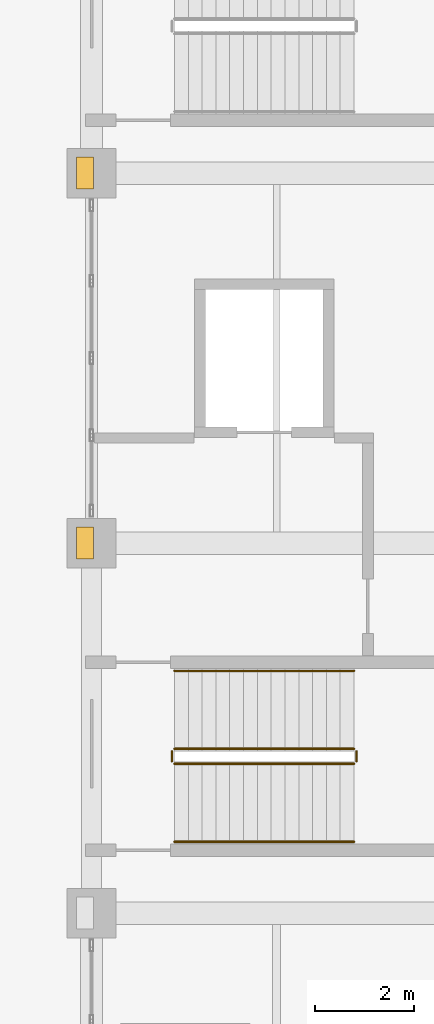
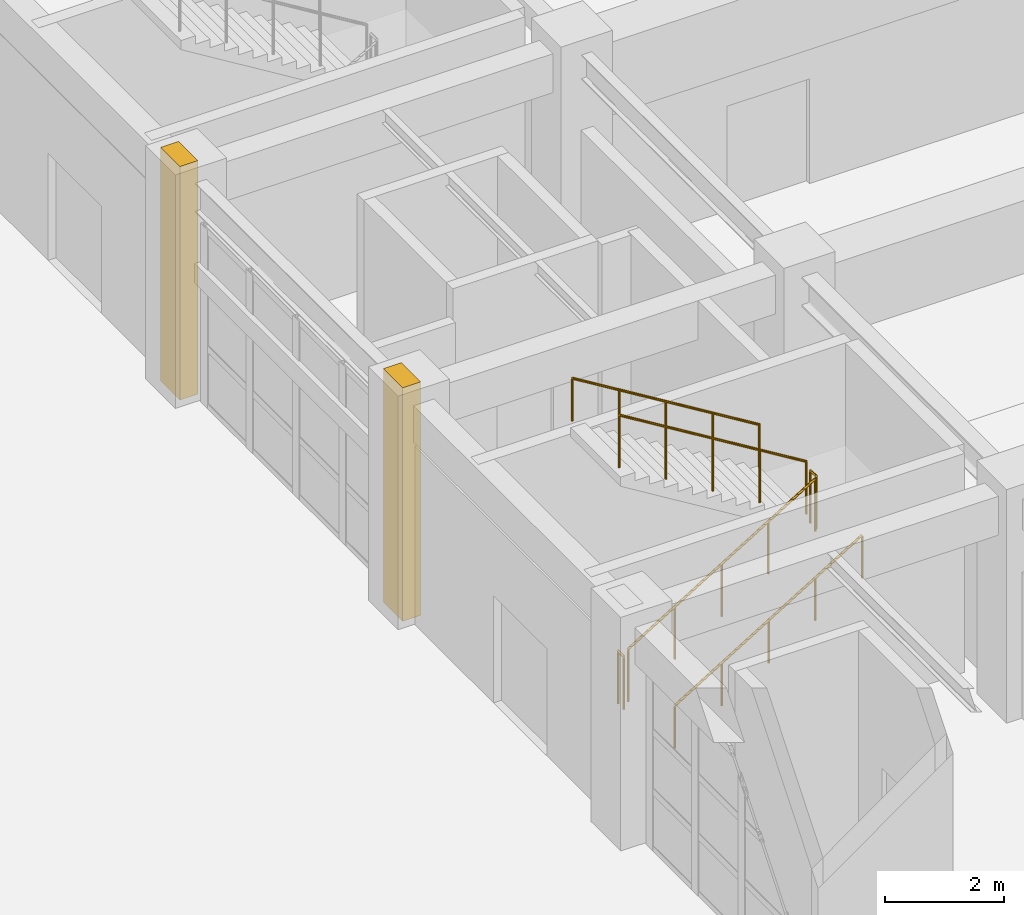
# One storey, part 109 of 122: 6 railings, 2 coverings.
"""IFC4 building model written with IfcOpenShell, lengths in metres."""

from ifc_helpers import new_model, si_unit, direction, frame, origin, origin_2d, place, context, subcontext, project, spatial, rectangle, circle, extrude, material, layer, layer_set, type_object, element, save


model = new_model("IFC4")

# Units and contexts
model_context = context("Model", 3, precision=1e-05, world=origin(), true_north=direction((0.0, 1.0)))
body_context = subcontext(model_context, "Body", "Model", "MODEL_VIEW")
ifc_project = project(units=[si_unit("LENGTHUNIT", "METRE"), si_unit("AREAUNIT", "SQUARE_METRE"), si_unit("VOLUMEUNIT", "CUBIC_METRE"), si_unit("PLANEANGLEUNIT", "RADIAN"), si_unit("MASSUNIT", "GRAM", prefix="KILO")], contexts=[model_context])

# Site, building, storey
site_placement = place(None, origin())
site = spatial("IfcSite", under=ifc_project, at=site_placement, CompositionType="ELEMENT")
building_placement = place(site_placement, origin())
building = spatial("IfcBuilding", under=site, at=building_placement, Name="Qasida Concert Hall", CompositionType="ELEMENT")
storey_placement = place(building_placement, origin())
storey = spatial("IfcBuildingStorey", under=building, at=storey_placement, Name="L00", CompositionType="ELEMENT", Elevation=0.0)

# Coverings
ifc_material_1 = material(Name="Projecting fluted Lebanese limestone Art Deco pilaster", Category="masonry")
ifc_layer_1 = layer(ifc_material_1, 0.35009765625, Name="Projecting fluted Lebanese limestone Art Deco pilaster")
ifc_layer_set_1 = layer_set([ifc_layer_1], Name="Projecting fluted Lebanese limestone Art Deco pilaster")
covering_type = type_object("IfcCoveringType", Name="CV-PIL-650", PredefinedType="CLADDING", material=ifc_layer_set_1)
for number, where, z_axis, x_axis, name in (
    (1, (52.364990234375, 52.5, 0.0), (0.0, 0.0, 1.0), (1.0, 0.0, 0.0), "L00 fluted limestone pilaster 0043"),
    (2, (52.364990234375, 60.0, 0.0), (0.0, 0.0, 1.0), (1.0, 0.0, 0.0), "L00 fluted limestone pilaster 0057"),
):
    element("IfcCovering", number, at=place(storey_placement, frame(where, z_axis=z_axis, x_axis=x_axis)), inside=storey, type_object=covering_type, Name=name, PredefinedType="CLADDING", context=body_context, shape_type="SweptSolid", body=[
        extrude(rectangle(XDim=0.35009765625, YDim=0.64990234375, at=origin_2d()), origin(), (0.0, 0.0, 1.0), 4.800048828125),
    ])

# Railings
ifc_material_2 = material(Name="Patinated architectural bronze and laminated glass infill", Category="glass")
ifc_layer_2 = layer(ifc_material_2, 0.080078125, Name="Patinated architectural bronze and laminated glass infill")
ifc_layer_set_2 = layer_set([ifc_layer_2], Name="Patinated architectural bronze and laminated glass infill")
railing_type_1 = type_object("IfcRailingType", Name="RL-GRD-1100", PredefinedType="GUARDRAIL", material=ifc_layer_set_2)
railing_1_placement = place(storey_placement, frame((54.179931640625, 48.030029296875, 0.17138671875)))
element("IfcRailing", 3, at=railing_1_placement, inside=storey, type_object=railing_type_1, Name="L00 ST-01 stair guard 1", PredefinedType="GUARDRAIL", context=body_context, shape_type="SweptSolid", body=[
    extrude(circle(Radius=0.02392578125, at=origin_2d()), frame((0.0, 0.0, 1.076171875), z_axis=(0.852865859571, 0.0, 0.52213008492), x_axis=(0.0, 1.0, 0.0)), (0.0, 0.0, 1.0), 4.26806640625),
    extrude(circle(Radius=0.02099609375, at=origin_2d()), origin(), (0.0, 0.0, 1.0), 1.052001953125),
    extrude(circle(Radius=0.02099609375, at=origin_2d()), frame((0.91015625, 0.0, 0.55712890625)), (0.0, 0.0, 1.0), 1.052001953125),
    extrude(circle(Radius=0.02099609375, at=origin_2d()), frame((1.820068359375, 0.0, 1.1142578125)), (0.0, 0.0, 1.0), 1.052001953125),
    extrude(circle(Radius=0.02099609375, at=origin_2d()), frame((2.72998046875, 0.0, 1.67138671875)), (0.0, 0.0, 1.0), 1.052001953125),
    extrude(circle(Radius=0.02099609375, at=origin_2d()), frame((3.64013671875, 0.0, 2.228515625)), (0.0, 0.0, 1.0), 1.052001953125),
])
railing_2_placement = place(storey_placement, frame((57.8701171875, 48.080078125, 2.39990234375)))
element("IfcRailing", 4, at=railing_2_placement, inside=storey, type_object=railing_type_1, Name="L00 ST-01 stair guard 2", PredefinedType="GUARDRAIL", context=body_context, shape_type="SweptSolid", body=[
    extrude(circle(Radius=0.02392578125, at=origin_2d()), frame((0.0, 0.0, 1.076171875), z_axis=(0.0, 1.0, 0.0), x_axis=(-1.0, 0.0, 0.0)), (0.0, 0.0, 1.0), 0.199951171875),
    extrude(circle(Radius=0.02099609375, at=origin_2d()), origin(), (0.0, 0.0, 1.0), 1.052001953125),
    extrude(circle(Radius=0.02099609375, at=origin_2d()), frame((0.0, 0.199951171875, 0.0)), (0.0, 0.0, 1.0), 1.052001953125),
])
railing_3_placement = place(storey_placement, frame((57.820068359375, 48.330078125, 2.571533203125)))
element("IfcRailing", 5, at=railing_3_placement, inside=storey, type_object=railing_type_1, Name="L00 ST-01 stair guard 3", PredefinedType="GUARDRAIL", context=body_context, shape_type="SweptSolid", body=[
    extrude(circle(Radius=0.02392578125, at=origin_2d()), frame((0.0, 0.0, 1.076171875), z_axis=(-0.852865859571, 0.0, 0.52213008492), x_axis=(0.0, -1.0, 0.0)), (0.0, 0.0, 1.0), 4.26806640625),
    extrude(circle(Radius=0.02099609375, at=origin_2d()), origin(), (0.0, 0.0, 1.0), 1.052001953125),
    extrude(circle(Radius=0.02099609375, at=origin_2d()), frame((-0.91015625, 0.0, 0.55712890625)), (0.0, 0.0, 1.0), 1.052001953125),
    extrude(circle(Radius=0.02099609375, at=origin_2d()), frame((-1.820068359375, 0.0, 1.1142578125)), (0.0, 0.0, 1.0), 1.052001953125),
    extrude(circle(Radius=0.02099609375, at=origin_2d()), frame((-2.72998046875, 0.0, 1.67138671875)), (0.0, 0.0, 1.0), 1.052001953125),
    extrude(circle(Radius=0.02099609375, at=origin_2d()), frame((-3.64013671875, 0.0, 2.228515625)), (0.0, 0.0, 1.0), 1.052001953125),
])
railing_4_placement = place(storey_placement, frame((54.1298828125, 48.080078125, 0.0)))
element("IfcRailing", 6, at=railing_4_placement, inside=storey, type_object=railing_type_1, Name="L00 ST-01 stair guard 4", PredefinedType="GUARDRAIL", context=body_context, shape_type="SweptSolid", body=[
    extrude(circle(Radius=0.02392578125, at=origin_2d()), frame((0.0, 0.0, 1.076171875), z_axis=(0.0, 1.0, 0.0), x_axis=(-1.0, 0.0, 0.0)), (0.0, 0.0, 1.0), 0.199951171875),
    extrude(circle(Radius=0.02099609375, at=origin_2d()), origin(), (0.0, 0.0, 1.0), 1.052001953125),
    extrude(circle(Radius=0.02099609375, at=origin_2d()), frame((0.0, 0.199951171875, 0.0)), (0.0, 0.0, 1.0), 1.052001953125),
])
ifc_material_3 = material(Name="Patinated tubular architectural bronze", Category="steel")
ifc_layer_3 = layer(ifc_material_3, 0.050048828125, Name="Patinated tubular architectural bronze")
ifc_layer_set_3 = layer_set([ifc_layer_3], Name="Patinated tubular architectural bronze")
railing_type_2 = type_object("IfcRailingType", Name="RL-HND-900", PredefinedType="HANDRAIL", material=ifc_layer_set_3)
railing_5_placement = place(storey_placement, frame((54.179931640625, 46.449951171875, 0.17138671875)))
element("IfcRailing", 7, at=railing_5_placement, inside=storey, type_object=railing_type_2, Name="L00 ST-01 stair handrail 1", PredefinedType="HANDRAIL", context=body_context, shape_type="SweptSolid", body=[
    extrude(circle(Radius=0.02392578125, at=origin_2d()), frame((0.0, 0.0, 0.8759765625), z_axis=(0.852865859571, 0.0, 0.52213008492), x_axis=(0.0, 1.0, 0.0)), (0.0, 0.0, 1.0), 4.26806640625),
    extrude(circle(Radius=0.02099609375, at=origin_2d()), origin(), (0.0, 0.0, 1.0), 0.851806640625),
    extrude(circle(Radius=0.02099609375, at=origin_2d()), frame((0.91015625, 0.0, 0.55712890625)), (0.0, 0.0, 1.0), 0.851806640625),
    extrude(circle(Radius=0.02099609375, at=origin_2d()), frame((1.820068359375, 0.0, 1.1142578125)), (0.0, 0.0, 1.0), 0.851806640625),
    extrude(circle(Radius=0.02099609375, at=origin_2d()), frame((2.72998046875, 0.0, 1.67138671875)), (0.0, 0.0, 1.0), 0.851806640625),
    extrude(circle(Radius=0.02099609375, at=origin_2d()), frame((3.64013671875, 0.0, 2.228515625)), (0.0, 0.0, 1.0), 0.851806640625),
])
railing_6_placement = place(storey_placement, frame((57.820068359375, 49.909912109375, 2.571533203125)))
element("IfcRailing", 8, at=railing_6_placement, inside=storey, type_object=railing_type_2, Name="L00 ST-01 stair handrail 2", PredefinedType="HANDRAIL", context=body_context, shape_type="SweptSolid", body=[
    extrude(circle(Radius=0.02392578125, at=origin_2d()), frame((0.0, 0.0, 0.8759765625), z_axis=(-0.852865859571, 0.0, 0.52213008492), x_axis=(0.0, -1.0, 0.0)), (0.0, 0.0, 1.0), 4.26806640625),
    extrude(circle(Radius=0.02099609375, at=origin_2d()), origin(), (0.0, 0.0, 1.0), 0.851806640625),
    extrude(circle(Radius=0.02099609375, at=origin_2d()), frame((-0.91015625, 0.0, 0.55712890625)), (0.0, 0.0, 1.0), 0.851806640625),
    extrude(circle(Radius=0.02099609375, at=origin_2d()), frame((-1.820068359375, 0.0, 1.1142578125)), (0.0, 0.0, 1.0), 0.851806640625),
    extrude(circle(Radius=0.02099609375, at=origin_2d()), frame((-2.72998046875, 0.0, 1.67138671875)), (0.0, 0.0, 1.0), 0.851806640625),
    extrude(circle(Radius=0.02099609375, at=origin_2d()), frame((-3.64013671875, 0.0, 2.228515625)), (0.0, 0.0, 1.0), 0.851806640625),
])

save(model, "model.ifc")
